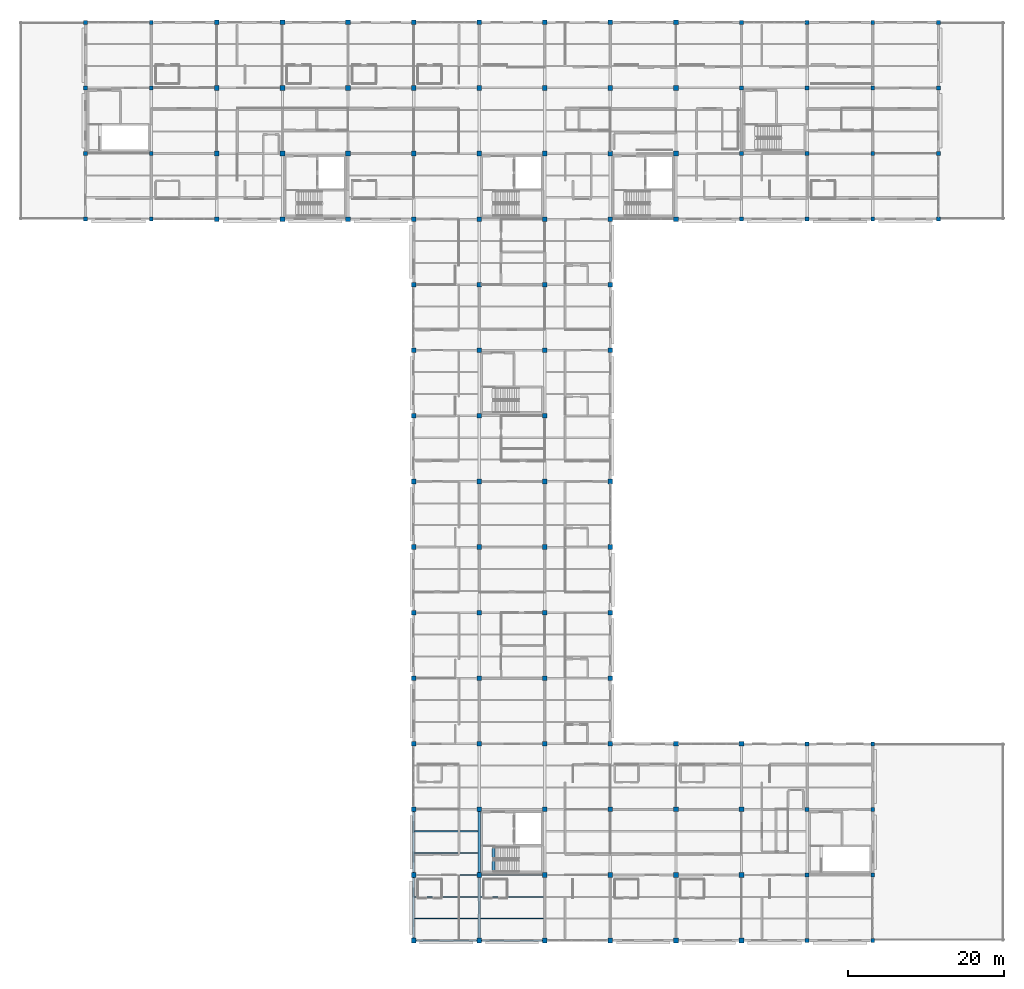
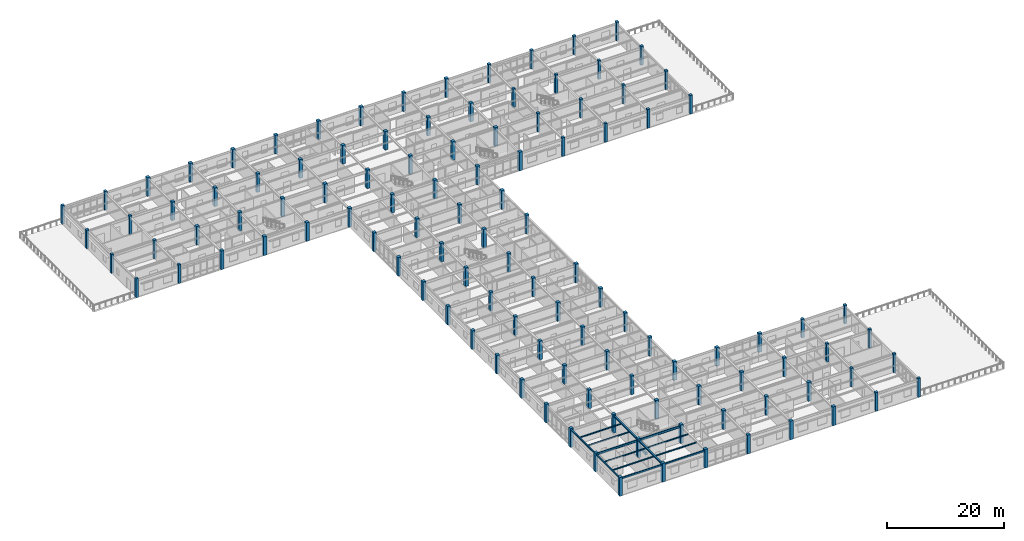
# One storey, part 1 of 70: 115 columns, 15 beams.
"""IFC4 building model written with IfcOpenShell, lengths in metres."""

from ifc_helpers import new_model, si_unit, direction, frame, origin, origin_2d, place, context, subcontext, project, spatial, rectangle, hollow_rectangle, i_section, extrude, material, material_profile, profile_set, type_object, element, save


model = new_model("IFC4")

# Units and contexts
model_context = context("Model", 3, precision=1e-05, world=origin(), true_north=direction((0.0, 1.0)))
body_context = subcontext(model_context, "Body", "Model", "MODEL_VIEW")
ifc_project = project(units=[si_unit("LENGTHUNIT", "METRE"), si_unit("AREAUNIT", "SQUARE_METRE"), si_unit("VOLUMEUNIT", "CUBIC_METRE"), si_unit("PLANEANGLEUNIT", "RADIAN"), si_unit("MASSUNIT", "GRAM", prefix="KILO")], contexts=[model_context])

# Site, building, storey
site_placement = place(None, origin())
site = spatial("IfcSite", under=ifc_project, at=site_placement, CompositionType="ELEMENT")
building_placement = place(site_placement, origin())
building = spatial("IfcBuilding", under=site, at=building_placement, Name="Bramfleet General Hospital", CompositionType="ELEMENT")
storey_placement = place(building_placement, frame((0.0, 0.0, 22.5)))
storey = spatial("IfcBuildingStorey", under=building, at=storey_placement, Name="L05", CompositionType="ELEMENT", Elevation=22.5)

# Columns
ifc_material_1 = material(Name="Concrete C40/50", Category="concrete")
ifc_material_profile_1 = material_profile(ifc_material_1, rectangle(XDim=0.5, YDim=0.5, at=origin_2d()), Name="RC COL 500x500")
ifc_profile_set_1 = profile_set([ifc_material_profile_1], Name="Concrete C40/50")
column_type_1 = type_object("IfcColumnType", Name="COL-RC500", PredefinedType="COLUMN", material=ifc_profile_set_1)
for number, where, z_axis, x_axis, name in (
    (1, (50.39990234375, 92.39990234375, 0.0), (0.0, 0.0, 1.0), (1.0, 0.0, 0.0), "Column COL-L05-06-11"),
    (2, (50.39990234375, 100.800048828125, 0.0), (0.0, 0.0, 1.0), (1.0, 0.0, 0.0), "Column COL-L05-06-12"),
    (3, (50.39990234375, 109.199951171875, 0.0), (0.0, 0.0, 1.0), (1.0, 0.0, 0.0), "Column COL-L05-06-13"),
    (4, (50.39990234375, 117.60009765625, 0.0), (0.0, 0.0, 1.0), (1.0, 0.0, 0.0), "Column COL-L05-06-14"),
    (5, (58.800048828125, 92.39990234375, 0.0), (0.0, 0.0, 1.0), (1.0, 0.0, 0.0), "Column COL-L05-07-11"),
    (6, (58.800048828125, 100.800048828125, 0.0), (0.0, 0.0, 1.0), (1.0, 0.0, 0.0), "Column COL-L05-07-12"),
    (7, (58.800048828125, 109.199951171875, 0.0), (0.0, 0.0, 1.0), (1.0, 0.0, 0.0), "Column COL-L05-07-13"),
    (8, (58.800048828125, 117.60009765625, 0.0), (0.0, 0.0, 1.0), (1.0, 0.0, 0.0), "Column COL-L05-07-14"),
    (9, (134.39990234375, 92.39990234375, 0.0), (0.0, 0.0, 1.0), (1.0, 0.0, 0.0), "Column COL-L05-16-11"),
    (10, (134.39990234375, 100.800048828125, 0.0), (0.0, 0.0, 1.0), (1.0, 0.0, 0.0), "Column COL-L05-16-12"),
    (11, (134.39990234375, 109.199951171875, 0.0), (0.0, 0.0, 1.0), (1.0, 0.0, 0.0), "Column COL-L05-16-13"),
    (12, (134.39990234375, 117.60009765625, 0.0), (0.0, 0.0, 1.0), (1.0, 0.0, 0.0), "Column COL-L05-16-14"),
    (13, (142.800048828125, 0.0, 0.0), (0.0, 0.0, 1.0), (1.0, 0.0, 0.0), "Column COL-L05-17-00"),
    (14, (142.800048828125, 8.39990234375, 0.0), (0.0, 0.0, 1.0), (1.0, 0.0, 0.0), "Column COL-L05-17-01"),
    (15, (142.800048828125, 16.800048828125, 0.0), (0.0, 0.0, 1.0), (1.0, 0.0, 0.0), "Column COL-L05-17-02"),
    (16, (142.800048828125, 25.199951171875, 0.0), (0.0, 0.0, 1.0), (1.0, 0.0, 0.0), "Column COL-L05-17-03"),
    (17, (142.800048828125, 92.39990234375, 0.0), (0.0, 0.0, 1.0), (1.0, 0.0, 0.0), "Column COL-L05-17-11"),
    (18, (142.800048828125, 100.800048828125, 0.0), (0.0, 0.0, 1.0), (1.0, 0.0, 0.0), "Column COL-L05-17-12"),
    (19, (142.800048828125, 109.199951171875, 0.0), (0.0, 0.0, 1.0), (1.0, 0.0, 0.0), "Column COL-L05-17-13"),
    (20, (142.800048828125, 117.60009765625, 0.0), (0.0, 0.0, 1.0), (1.0, 0.0, 0.0), "Column COL-L05-17-14"),
    (21, (151.199951171875, 0.0, 0.0), (0.0, 0.0, 1.0), (1.0, 0.0, 0.0), "Column COL-L05-18-00"),
    (22, (151.199951171875, 8.39990234375, 0.0), (0.0, 0.0, 1.0), (1.0, 0.0, 0.0), "Column COL-L05-18-01"),
    (23, (151.199951171875, 16.800048828125, 0.0), (0.0, 0.0, 1.0), (1.0, 0.0, 0.0), "Column COL-L05-18-02"),
    (24, (151.199951171875, 25.199951171875, 0.0), (0.0, 0.0, 1.0), (1.0, 0.0, 0.0), "Column COL-L05-18-03"),
    (25, (151.199951171875, 92.39990234375, 0.0), (0.0, 0.0, 1.0), (1.0, 0.0, 0.0), "Column COL-L05-18-11"),
    (26, (151.199951171875, 100.800048828125, 0.0), (0.0, 0.0, 1.0), (1.0, 0.0, 0.0), "Column COL-L05-18-12"),
    (27, (151.199951171875, 109.199951171875, 0.0), (0.0, 0.0, 1.0), (1.0, 0.0, 0.0), "Column COL-L05-18-13"),
    (28, (151.199951171875, 117.60009765625, 0.0), (0.0, 0.0, 1.0), (1.0, 0.0, 0.0), "Column COL-L05-18-14"),
    (29, (159.60009765625, 92.39990234375, 0.0), (0.0, 0.0, 1.0), (1.0, 0.0, 0.0), "Column COL-L05-19-11"),
    (30, (159.60009765625, 100.800048828125, 0.0), (0.0, 0.0, 1.0), (1.0, 0.0, 0.0), "Column COL-L05-19-12"),
    (31, (159.60009765625, 109.199951171875, 0.0), (0.0, 0.0, 1.0), (1.0, 0.0, 0.0), "Column COL-L05-19-13"),
    (32, (159.60009765625, 117.60009765625, 0.0), (0.0, 0.0, 1.0), (1.0, 0.0, 0.0), "Column COL-L05-19-14"),
):
    element("IfcColumn", number, at=place(storey_placement, frame(where, z_axis=z_axis, x_axis=x_axis)), inside=storey, type_object=column_type_1, Name=name, PredefinedType="COLUMN", context=body_context, shape_type="SweptSolid", body=[
        extrude(rectangle(XDim=0.5, YDim=0.5, at=origin_2d()), origin(), (0.0, 0.0, 1.0), 3.89990234375),
    ])
ifc_material_profile_2 = material_profile(ifc_material_1, rectangle(XDim=0.60009765625, YDim=0.60009765625, at=origin_2d()), Name="RC COL 600x600")
ifc_profile_set_2 = profile_set([ifc_material_profile_2], Name="Concrete C40/50")
column_type_2 = type_object("IfcColumnType", Name="COL-RC600", PredefinedType="COLUMN", material=ifc_profile_set_2)
for number, where, z_axis, x_axis, name in (
    (33, (67.199951171875, 92.39990234375, 0.0), (0.0, 0.0, 1.0), (1.0, 0.0, 0.0), "Column COL-L05-08-11"),
    (34, (67.199951171875, 100.800048828125, 0.0), (0.0, 0.0, 1.0), (1.0, 0.0, 0.0), "Column COL-L05-08-12"),
    (35, (67.199951171875, 109.199951171875, 0.0), (0.0, 0.0, 1.0), (1.0, 0.0, 0.0), "Column COL-L05-08-13"),
    (36, (67.199951171875, 117.60009765625, 0.0), (0.0, 0.0, 1.0), (1.0, 0.0, 0.0), "Column COL-L05-08-14"),
    (37, (75.60009765625, 92.39990234375, 0.0), (0.0, 0.0, 1.0), (1.0, 0.0, 0.0), "Column COL-L05-09-11"),
    (38, (75.60009765625, 100.800048828125, 0.0), (0.0, 0.0, 1.0), (1.0, 0.0, 0.0), "Column COL-L05-09-12"),
    (39, (75.60009765625, 109.199951171875, 0.0), (0.0, 0.0, 1.0), (1.0, 0.0, 0.0), "Column COL-L05-09-13"),
    (40, (75.60009765625, 117.60009765625, 0.0), (0.0, 0.0, 1.0), (1.0, 0.0, 0.0), "Column COL-L05-09-14"),
    (41, (84.0, 92.39990234375, 0.0), (0.0, 0.0, 1.0), (1.0, 0.0, 0.0), "Column COL-L05-10-11"),
    (42, (84.0, 100.800048828125, 0.0), (0.0, 0.0, 1.0), (1.0, 0.0, 0.0), "Column COL-L05-10-12"),
    (43, (84.0, 109.199951171875, 0.0), (0.0, 0.0, 1.0), (1.0, 0.0, 0.0), "Column COL-L05-10-13"),
    (44, (84.0, 117.60009765625, 0.0), (0.0, 0.0, 1.0), (1.0, 0.0, 0.0), "Column COL-L05-10-14"),
    (45, (92.39990234375, 0.0, 0.0), (0.0, 0.0, 1.0), (1.0, 0.0, 0.0), "Column COL-L05-11-00"),
    (46, (92.39990234375, 8.39990234375, 0.0), (0.0, 0.0, 1.0), (1.0, 0.0, 0.0), "Column COL-L05-11-01"),
    (47, (92.39990234375, 16.800048828125, 0.0), (0.0, 0.0, 1.0), (1.0, 0.0, 0.0), "Column COL-L05-11-02"),
    (48, (92.39990234375, 25.199951171875, 0.0), (0.0, 0.0, 1.0), (1.0, 0.0, 0.0), "Column COL-L05-11-03"),
    (49, (92.39990234375, 33.60009765625, 0.0), (0.0, 0.0, 1.0), (1.0, 0.0, 0.0), "Column COL-L05-11-04"),
    (50, (92.39990234375, 42.0, 0.0), (0.0, 0.0, 1.0), (1.0, 0.0, 0.0), "Column COL-L05-11-05"),
    (51, (92.39990234375, 50.39990234375, 0.0), (0.0, 0.0, 1.0), (1.0, 0.0, 0.0), "Column COL-L05-11-06"),
    (52, (92.39990234375, 58.800048828125, 0.0), (0.0, 0.0, 1.0), (1.0, 0.0, 0.0), "Column COL-L05-11-07"),
    (53, (92.39990234375, 67.199951171875, 0.0), (0.0, 0.0, 1.0), (1.0, 0.0, 0.0), "Column COL-L05-11-08"),
    (54, (92.39990234375, 75.60009765625, 0.0), (0.0, 0.0, 1.0), (1.0, 0.0, 0.0), "Column COL-L05-11-09"),
    (55, (92.39990234375, 84.0, 0.0), (0.0, 0.0, 1.0), (1.0, 0.0, 0.0), "Column COL-L05-11-10"),
    (56, (92.39990234375, 92.39990234375, 0.0), (0.0, 0.0, 1.0), (1.0, 0.0, 0.0), "Column COL-L05-11-11"),
    (57, (92.39990234375, 100.800048828125, 0.0), (0.0, 0.0, 1.0), (1.0, 0.0, 0.0), "Column COL-L05-11-12"),
    (58, (92.39990234375, 109.199951171875, 0.0), (0.0, 0.0, 1.0), (1.0, 0.0, 0.0), "Column COL-L05-11-13"),
    (59, (92.39990234375, 117.60009765625, 0.0), (0.0, 0.0, 1.0), (1.0, 0.0, 0.0), "Column COL-L05-11-14"),
    (60, (100.800048828125, 0.0, 0.0), (0.0, 0.0, 1.0), (1.0, 0.0, 0.0), "Column COL-L05-12-00"),
    (61, (100.800048828125, 8.39990234375, 0.0), (0.0, 0.0, 1.0), (1.0, 0.0, 0.0), "Column COL-L05-12-01"),
    (62, (100.800048828125, 16.800048828125, 0.0), (0.0, 0.0, 1.0), (1.0, 0.0, 0.0), "Column COL-L05-12-02"),
    (63, (100.800048828125, 25.199951171875, 0.0), (0.0, 0.0, 1.0), (1.0, 0.0, 0.0), "Column COL-L05-12-03"),
    (64, (100.800048828125, 33.60009765625, 0.0), (0.0, 0.0, 1.0), (1.0, 0.0, 0.0), "Column COL-L05-12-04"),
    (65, (100.800048828125, 42.0, 0.0), (0.0, 0.0, 1.0), (1.0, 0.0, 0.0), "Column COL-L05-12-05"),
    (66, (100.800048828125, 50.39990234375, 0.0), (0.0, 0.0, 1.0), (1.0, 0.0, 0.0), "Column COL-L05-12-06"),
    (67, (100.800048828125, 58.800048828125, 0.0), (0.0, 0.0, 1.0), (1.0, 0.0, 0.0), "Column COL-L05-12-07"),
    (68, (100.800048828125, 67.199951171875, 0.0), (0.0, 0.0, 1.0), (1.0, 0.0, 0.0), "Column COL-L05-12-08"),
    (69, (100.800048828125, 75.60009765625, 0.0), (0.0, 0.0, 1.0), (1.0, 0.0, 0.0), "Column COL-L05-12-09"),
    (70, (100.800048828125, 84.0, 0.0), (0.0, 0.0, 1.0), (1.0, 0.0, 0.0), "Column COL-L05-12-10"),
    (71, (100.800048828125, 92.39990234375, 0.0), (0.0, 0.0, 1.0), (1.0, 0.0, 0.0), "Column COL-L05-12-11"),
    (72, (100.800048828125, 100.800048828125, 0.0), (0.0, 0.0, 1.0), (1.0, 0.0, 0.0), "Column COL-L05-12-12"),
    (73, (100.800048828125, 109.199951171875, 0.0), (0.0, 0.0, 1.0), (1.0, 0.0, 0.0), "Column COL-L05-12-13"),
    (74, (100.800048828125, 117.60009765625, 0.0), (0.0, 0.0, 1.0), (1.0, 0.0, 0.0), "Column COL-L05-12-14"),
    (75, (109.199951171875, 0.0, 0.0), (0.0, 0.0, 1.0), (1.0, 0.0, 0.0), "Column COL-L05-13-00"),
    (76, (109.199951171875, 8.39990234375, 0.0), (0.0, 0.0, 1.0), (1.0, 0.0, 0.0), "Column COL-L05-13-01"),
    (77, (109.199951171875, 16.800048828125, 0.0), (0.0, 0.0, 1.0), (1.0, 0.0, 0.0), "Column COL-L05-13-02"),
    (78, (109.199951171875, 25.199951171875, 0.0), (0.0, 0.0, 1.0), (1.0, 0.0, 0.0), "Column COL-L05-13-03"),
    (79, (109.199951171875, 33.60009765625, 0.0), (0.0, 0.0, 1.0), (1.0, 0.0, 0.0), "Column COL-L05-13-04"),
    (80, (109.199951171875, 42.0, 0.0), (0.0, 0.0, 1.0), (1.0, 0.0, 0.0), "Column COL-L05-13-05"),
    (81, (109.199951171875, 50.39990234375, 0.0), (0.0, 0.0, 1.0), (1.0, 0.0, 0.0), "Column COL-L05-13-06"),
    (82, (109.199951171875, 58.800048828125, 0.0), (0.0, 0.0, 1.0), (1.0, 0.0, 0.0), "Column COL-L05-13-07"),
    (83, (109.199951171875, 67.199951171875, 0.0), (0.0, 0.0, 1.0), (1.0, 0.0, 0.0), "Column COL-L05-13-08"),
    (84, (109.199951171875, 75.60009765625, 0.0), (0.0, 0.0, 1.0), (1.0, 0.0, 0.0), "Column COL-L05-13-09"),
    (85, (109.199951171875, 84.0, 0.0), (0.0, 0.0, 1.0), (1.0, 0.0, 0.0), "Column COL-L05-13-10"),
    (86, (109.199951171875, 92.39990234375, 0.0), (0.0, 0.0, 1.0), (1.0, 0.0, 0.0), "Column COL-L05-13-11"),
    (87, (109.199951171875, 100.800048828125, 0.0), (0.0, 0.0, 1.0), (1.0, 0.0, 0.0), "Column COL-L05-13-12"),
    (88, (109.199951171875, 109.199951171875, 0.0), (0.0, 0.0, 1.0), (1.0, 0.0, 0.0), "Column COL-L05-13-13"),
    (89, (109.199951171875, 117.60009765625, 0.0), (0.0, 0.0, 1.0), (1.0, 0.0, 0.0), "Column COL-L05-13-14"),
    (90, (117.60009765625, 0.0, 0.0), (0.0, 0.0, 1.0), (1.0, 0.0, 0.0), "Column COL-L05-14-00"),
    (91, (117.60009765625, 8.39990234375, 0.0), (0.0, 0.0, 1.0), (1.0, 0.0, 0.0), "Column COL-L05-14-01"),
    (92, (117.60009765625, 16.800048828125, 0.0), (0.0, 0.0, 1.0), (1.0, 0.0, 0.0), "Column COL-L05-14-02"),
    (93, (117.60009765625, 25.199951171875, 0.0), (0.0, 0.0, 1.0), (1.0, 0.0, 0.0), "Column COL-L05-14-03"),
    (94, (117.60009765625, 33.60009765625, 0.0), (0.0, 0.0, 1.0), (1.0, 0.0, 0.0), "Column COL-L05-14-04"),
    (95, (117.60009765625, 42.0, 0.0), (0.0, 0.0, 1.0), (1.0, 0.0, 0.0), "Column COL-L05-14-05"),
    (96, (117.60009765625, 50.39990234375, 0.0), (0.0, 0.0, 1.0), (1.0, 0.0, 0.0), "Column COL-L05-14-06"),
    (97, (117.60009765625, 58.800048828125, 0.0), (0.0, 0.0, 1.0), (1.0, 0.0, 0.0), "Column COL-L05-14-07"),
    (98, (117.60009765625, 75.60009765625, 0.0), (0.0, 0.0, 1.0), (1.0, 0.0, 0.0), "Column COL-L05-14-09"),
    (99, (117.60009765625, 84.0, 0.0), (0.0, 0.0, 1.0), (1.0, 0.0, 0.0), "Column COL-L05-14-10"),
    (100, (117.60009765625, 92.39990234375, 0.0), (0.0, 0.0, 1.0), (1.0, 0.0, 0.0), "Column COL-L05-14-11"),
    (101, (117.60009765625, 100.800048828125, 0.0), (0.0, 0.0, 1.0), (1.0, 0.0, 0.0), "Column COL-L05-14-12"),
    (102, (117.60009765625, 109.199951171875, 0.0), (0.0, 0.0, 1.0), (1.0, 0.0, 0.0), "Column COL-L05-14-13"),
    (103, (117.60009765625, 117.60009765625, 0.0), (0.0, 0.0, 1.0), (1.0, 0.0, 0.0), "Column COL-L05-14-14"),
    (104, (126.0, 0.0, 0.0), (0.0, 0.0, 1.0), (1.0, 0.0, 0.0), "Column COL-L05-15-00"),
    (105, (126.0, 8.39990234375, 0.0), (0.0, 0.0, 1.0), (1.0, 0.0, 0.0), "Column COL-L05-15-01"),
    (106, (126.0, 16.800048828125, 0.0), (0.0, 0.0, 1.0), (1.0, 0.0, 0.0), "Column COL-L05-15-02"),
    (107, (126.0, 25.199951171875, 0.0), (0.0, 0.0, 1.0), (1.0, 0.0, 0.0), "Column COL-L05-15-03"),
    (108, (126.0, 92.39990234375, 0.0), (0.0, 0.0, 1.0), (1.0, 0.0, 0.0), "Column COL-L05-15-11"),
    (109, (126.0, 100.800048828125, 0.0), (0.0, 0.0, 1.0), (1.0, 0.0, 0.0), "Column COL-L05-15-12"),
    (110, (126.0, 109.199951171875, 0.0), (0.0, 0.0, 1.0), (1.0, 0.0, 0.0), "Column COL-L05-15-13"),
    (111, (126.0, 117.60009765625, 0.0), (0.0, 0.0, 1.0), (1.0, 0.0, 0.0), "Column COL-L05-15-14"),
    (112, (134.39990234375, 0.0, 0.0), (0.0, 0.0, 1.0), (1.0, 0.0, 0.0), "Column COL-L05-16-00"),
    (113, (134.39990234375, 8.39990234375, 0.0), (0.0, 0.0, 1.0), (1.0, 0.0, 0.0), "Column COL-L05-16-01"),
    (114, (134.39990234375, 16.800048828125, 0.0), (0.0, 0.0, 1.0), (1.0, 0.0, 0.0), "Column COL-L05-16-02"),
    (115, (134.39990234375, 25.199951171875, 0.0), (0.0, 0.0, 1.0), (1.0, 0.0, 0.0), "Column COL-L05-16-03"),
):
    element("IfcColumn", number, at=place(storey_placement, frame(where, z_axis=z_axis, x_axis=x_axis)), inside=storey, type_object=column_type_2, Name=name, PredefinedType="COLUMN", context=body_context, shape_type="SweptSolid", body=[
        extrude(rectangle(XDim=0.60009765625, YDim=0.60009765625, at=origin_2d()), origin(), (0.0, 0.0, 1.0), 3.89990234375),
    ])

# Beams
ifc_material_2 = material(Name="Steel S355", Category="steel")
ifc_material_profile_3 = material_profile(ifc_material_2, i_section(OverallWidth=0.239990234375, OverallDepth=0.22998046875, WebThickness=0.007568359375, FlangeThickness=0.011962890625, FilletRadius=0.02099609375, at=origin_2d()), Name="HEA 240")
ifc_profile_set_3 = profile_set([ifc_material_profile_3], Name="Steel S355")
beam_type_1 = type_object("IfcBeamType", Name="BM-HEA240", PredefinedType="SPANDREL", material=ifc_profile_set_3)
for number, where, z_axis, x_axis, name in (
    (116, (92.39990234375, 0.300048828125, 3.5048828125), (0.0, 1.0, 0.0), (-1.0, 0.0, 0.0), "L05 Grid Beam Y 11-00"),
    (117, (92.39990234375, 8.699951171875, 3.5048828125), (0.0, 1.0, 0.0), (-1.0, 0.0, 0.0), "L05 Grid Beam Y 11-01"),
):
    element("IfcBeam", number, at=place(storey_placement, frame(where, z_axis=z_axis, x_axis=x_axis)), inside=storey, type_object=beam_type_1, Name=name, PredefinedType="SPANDREL", context=body_context, shape_type="SweptSolid", body=[
        extrude(i_section(OverallWidth=0.239990234375, OverallDepth=0.22998046875, WebThickness=0.007568359375, FlangeThickness=0.011962890625, FilletRadius=0.02099609375, at=origin_2d()), origin(), (0.0, 0.0, 1.0), 7.800048828125),
    ])
ifc_material_profile_4 = material_profile(ifc_material_2, i_section(OverallWidth=0.300048828125, OverallDepth=0.31005859375, WebThickness=0.009033203125, FlangeThickness=0.015380859375, FilletRadius=0.027099609375, at=origin_2d()), Name="HEA 320")
ifc_profile_set_4 = profile_set([ifc_material_profile_4], Name="Steel S355")
beam_type_2 = type_object("IfcBeamType", Name="BM-HEA320", PredefinedType="BEAM", material=ifc_profile_set_4)
for number, where, z_axis, x_axis, name in (
    (118, (100.800048828125, 0.300048828125, 3.465087890625), (0.0, 1.0, 0.0), (-1.0, 0.0, 0.0), "L05 Grid Beam Y 12-00"),
    (119, (100.800048828125, 8.699951171875, 3.465087890625), (0.0, 1.0, 0.0), (-1.0, 0.0, 0.0), "L05 Grid Beam Y 12-01"),
):
    element("IfcBeam", number, at=place(storey_placement, frame(where, z_axis=z_axis, x_axis=x_axis)), inside=storey, type_object=beam_type_2, Name=name, PredefinedType="BEAM", context=body_context, shape_type="SweptSolid", body=[
        extrude(i_section(OverallWidth=0.300048828125, OverallDepth=0.31005859375, WebThickness=0.009033203125, FlangeThickness=0.015380859375, FilletRadius=0.027099609375, at=origin_2d()), origin(), (0.0, 0.0, 1.0), 7.800048828125),
    ])
ifc_material_profile_5 = material_profile(ifc_material_2, i_section(OverallWidth=0.135009765625, OverallDepth=0.27001953125, WebThickness=0.006591796875, FlangeThickness=0.01025390625, FilletRadius=0.014892578125, at=origin_2d()), Name="IPE 270")
ifc_profile_set_5 = profile_set([ifc_material_profile_5], Name="Steel S355")
beam_type_3 = type_object("IfcBeamType", Name="BM-IPE270", PredefinedType="JOIST", material=ifc_profile_set_5)
for number, where, z_axis, x_axis, name in (
    (120, (92.52001953125, 2.800048828125, 3.485107421875), (1.0, 0.0, 0.0), (0.0, 1.0, 0.0), "L05 Secondary Joist 11-00-1"),
    (121, (92.52001953125, 5.60009765625, 3.485107421875), (1.0, 0.0, 0.0), (0.0, 1.0, 0.0), "L05 Secondary Joist 11-00-2"),
    (122, (92.52001953125, 11.199951171875, 3.485107421875), (1.0, 0.0, 0.0), (0.0, 1.0, 0.0), "L05 Secondary Joist 11-01-1"),
    (123, (92.52001953125, 14.0, 3.485107421875), (1.0, 0.0, 0.0), (0.0, 1.0, 0.0), "L05 Secondary Joist 11-01-2"),
):
    element("IfcBeam", number, at=place(storey_placement, frame(where, z_axis=z_axis, x_axis=x_axis)), inside=storey, type_object=beam_type_3, Name=name, PredefinedType="JOIST", context=body_context, shape_type="SweptSolid", body=[
        extrude(i_section(OverallWidth=0.135009765625, OverallDepth=0.27001953125, WebThickness=0.006591796875, FlangeThickness=0.01025390625, FilletRadius=0.014892578125, at=origin_2d()), origin(), (0.0, 0.0, 1.0), 8.1298828125),
    ])
for number, where, z_axis, x_axis, name in (
    (124, (100.949951171875, 2.800048828125, 3.485107421875), (1.0, 0.0, 0.0), (0.0, 1.0, 0.0), "L05 Secondary Joist 12-00-1"),
    (125, (100.949951171875, 5.60009765625, 3.485107421875), (1.0, 0.0, 0.0), (0.0, 1.0, 0.0), "L05 Secondary Joist 12-00-2"),
):
    element("IfcBeam", number, at=place(storey_placement, frame(where, z_axis=z_axis, x_axis=x_axis)), inside=storey, type_object=beam_type_3, Name=name, PredefinedType="JOIST", context=body_context, shape_type="SweptSolid", body=[
        extrude(i_section(OverallWidth=0.135009765625, OverallDepth=0.27001953125, WebThickness=0.006591796875, FlangeThickness=0.01025390625, FilletRadius=0.014892578125, at=origin_2d()), origin(), (0.0, 0.0, 1.0), 8.10009765625),
    ])
ifc_material_profile_6 = material_profile(ifc_material_2, i_section(OverallWidth=0.18994140625, OverallDepth=0.449951171875, WebThickness=0.009521484375, FlangeThickness=0.0146484375, FilletRadius=0.02099609375, at=origin_2d()), Name="IPE 450")
ifc_profile_set_6 = profile_set([ifc_material_profile_6], Name="Steel S355")
beam_type_4 = type_object("IfcBeamType", Name="BM-IPE450", PredefinedType="BEAM", material=ifc_profile_set_6)
beam_1_placement = place(storey_placement, frame((92.699951171875, 8.39990234375, 3.39501953125), z_axis=(1.0, 0.0, 0.0), x_axis=(0.0, 1.0, 0.0)))
element("IfcBeam", 126, at=beam_1_placement, inside=storey, type_object=beam_type_4, Name="L05 Grid Beam X 11-01", PredefinedType="BEAM", context=body_context, shape_type="SweptSolid", body=[
    extrude(i_section(OverallWidth=0.18994140625, OverallDepth=0.449951171875, WebThickness=0.009521484375, FlangeThickness=0.0146484375, FilletRadius=0.02099609375, at=origin_2d()), origin(), (0.0, 0.0, 1.0), 7.800048828125),
])
beam_2_placement = place(storey_placement, frame((101.10009765625, 8.39990234375, 3.39501953125), z_axis=(1.0, 0.0, 0.0), x_axis=(0.0, 1.0, 0.0)))
element("IfcBeam", 127, at=beam_2_placement, inside=storey, type_object=beam_type_4, Name="L05 Grid Beam X 12-01", PredefinedType="BEAM", context=body_context, shape_type="SweptSolid", body=[
    extrude(i_section(OverallWidth=0.18994140625, OverallDepth=0.449951171875, WebThickness=0.009521484375, FlangeThickness=0.0146484375, FilletRadius=0.02099609375, at=origin_2d()), origin(), (0.0, 0.0, 1.0), 7.7998046875),
])
ifc_material_3 = material(Name="Concrete C35/45", Category="concrete")
ifc_material_profile_7 = material_profile(ifc_material_3, rectangle(XDim=0.35009765625, YDim=0.550048828125, at=origin_2d()), Name="RC BM 550x350")
ifc_profile_set_7 = profile_set([ifc_material_profile_7], Name="Concrete C35/45")
beam_type_5 = type_object("IfcBeamType", Name="BM-RC550", PredefinedType="BEAM", material=ifc_profile_set_7)
beam_3_placement = place(storey_placement, frame((102.639892578125, 8.780029296875, -0.27490234375), z_axis=(0.0, 1.0, 0.0), x_axis=(-1.0, 0.0, 0.0)))
element("IfcBeam", 128, at=beam_3_placement, inside=storey, type_object=beam_type_5, Name="L05 C3 Stairwell Trimmer Beam", PredefinedType="BEAM", context=body_context, shape_type="SweptSolid", body=[
    extrude(rectangle(XDim=0.35009765625, YDim=0.550048828125, at=origin_2d()), origin(), (0.0, 0.0, 1.0), 3.320068359375),
])
ifc_material_profile_8 = material_profile(ifc_material_2, hollow_rectangle(XDim=0.199951171875, YDim=0.300048828125, WallThickness=0.012451171875, at=origin_2d()), Name="RHS 300x200x12.5")
ifc_profile_set_8 = profile_set([ifc_material_profile_8], Name="Steel S355")
beam_type_6 = type_object("IfcBeamType", Name="BM-RHS300", PredefinedType="SPANDREL", material=ifc_profile_set_8)
beam_4_placement = place(storey_placement, frame((92.699951171875, 0.0, 3.469970703125), z_axis=(1.0, 0.0, 0.0), x_axis=(0.0, 1.0, 0.0)))
element("IfcBeam", 129, at=beam_4_placement, inside=storey, type_object=beam_type_6, Name="L05 Grid Beam X 11-00", PredefinedType="SPANDREL", context=body_context, shape_type="SweptSolid", body=[
    extrude(hollow_rectangle(XDim=0.199951171875, YDim=0.300048828125, WallThickness=0.012451171875, at=origin_2d()), origin(), (0.0, 0.0, 1.0), 7.800048828125),
])
beam_5_placement = place(storey_placement, frame((101.10009765625, 0.0, 3.469970703125), z_axis=(1.0, 0.0, 0.0), x_axis=(0.0, 1.0, 0.0)))
element("IfcBeam", 130, at=beam_5_placement, inside=storey, type_object=beam_type_6, Name="L05 Grid Beam X 12-00", PredefinedType="SPANDREL", context=body_context, shape_type="SweptSolid", body=[
    extrude(hollow_rectangle(XDim=0.199951171875, YDim=0.300048828125, WallThickness=0.012451171875, at=origin_2d()), origin(), (0.0, 0.0, 1.0), 7.7998046875),
])

save(model, "model.ifc")
